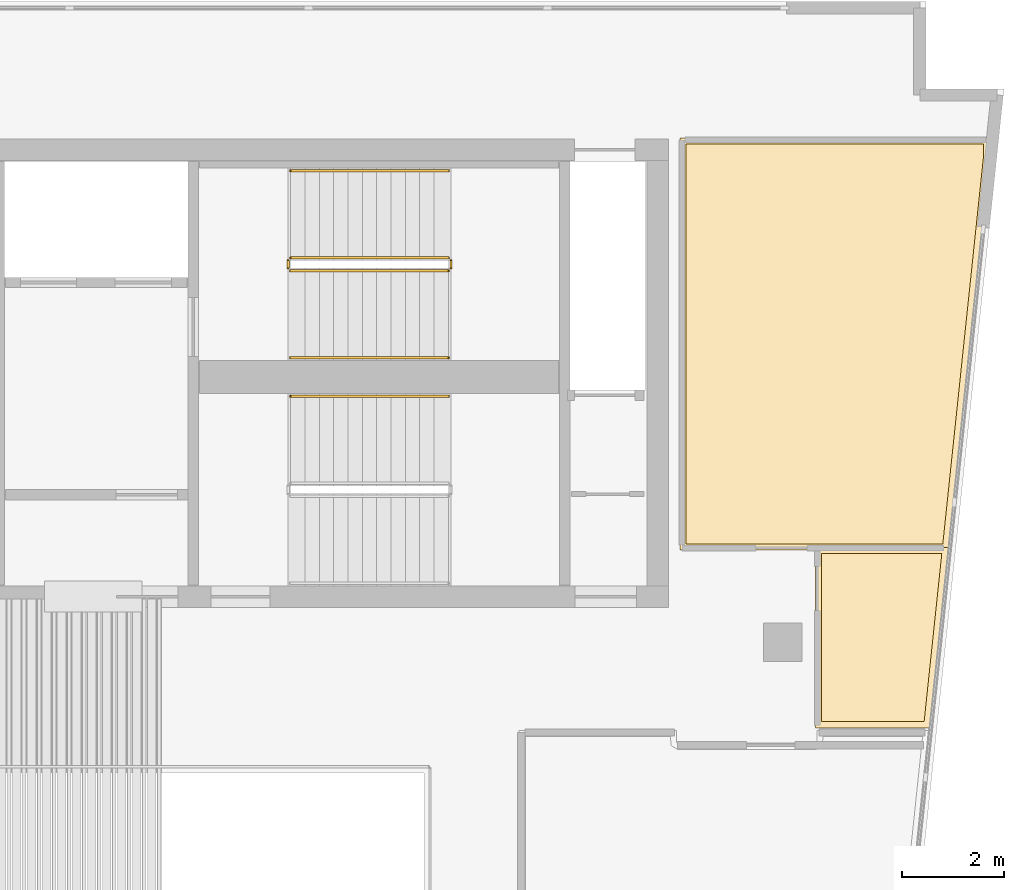
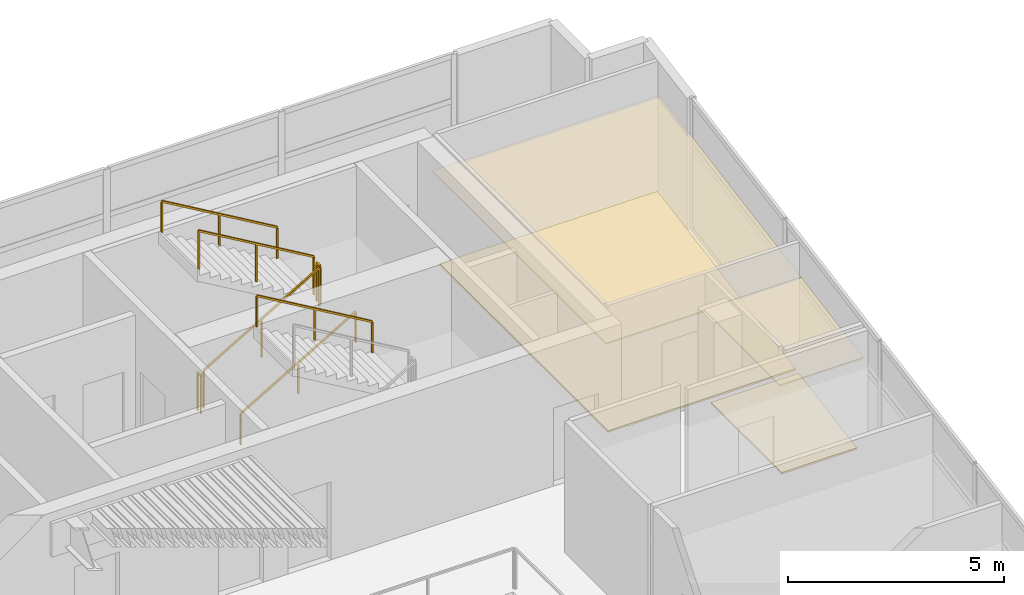
# One storey, part 6 of 6: 7 railings, 4 coverings.
"""IFC4 building model written with IfcOpenShell, lengths in metres."""

from ifc_helpers import new_model, si_unit, direction, frame, origin, origin_2d, place, context, subcontext, project, spatial, polyline, rectangle, outline, extrude, material, layer, layer_set, type_object, element, save


model = new_model("IFC4")

# Units and contexts
model_context = context("Model", 3, precision=1e-05, world=origin(), true_north=direction((0.0, 1.0)))
body_context = subcontext(model_context, "Body", "Model", "MODEL_VIEW")
ifc_project = project(units=[si_unit("LENGTHUNIT", "METRE"), si_unit("AREAUNIT", "SQUARE_METRE"), si_unit("VOLUMEUNIT", "CUBIC_METRE"), si_unit("PLANEANGLEUNIT", "RADIAN"), si_unit("MASSUNIT", "GRAM", prefix="KILO")], contexts=[model_context])

# Site, building, storey
site_placement = place(None, origin())
site = spatial("IfcSite", under=ifc_project, at=site_placement, CompositionType="ELEMENT")
building_placement = place(site_placement, origin())
building = spatial("IfcBuilding", under=site, at=building_placement, Name="Caeloran Harvest Quay", CompositionType="ELEMENT")
storey_placement = place(building_placement, frame((0.0, 0.0, 296.199951171875)))
storey = spatial("IfcBuildingStorey", under=building, at=storey_placement, Name="L71", CompositionType="ELEMENT", Elevation=296.199951171875)

# Coverings
ifc_material_1 = material(Name="Perforated Mineral-Fibre Acoustic Ceiling Tile", Category="ceiling")
ifc_layer_1 = layer(ifc_material_1, 0.0400390625, Name="Perforated Mineral-Fibre Acoustic Ceiling Tile")
ifc_layer_set_1 = layer_set([ifc_layer_1], Name="Perforated Mineral-Fibre Acoustic Ceiling Tile")
covering_type_1 = type_object("IfcCoveringType", Name="COV-CEILING-ACOUSTIC", PredefinedType="CEILING", material=ifc_layer_set_1)
covering_1_placement = place(storey_placement, frame((0.0, 0.0, 2.60009765625)))
element("IfcCovering", 1, at=covering_1_placement, inside=storey, type_object=covering_type_1, Name="L71 Bioinformatics and Crop Phenotyping Laboratory Acoustic Ceiling", PredefinedType="CEILING", context=body_context, shape_type="SweptSolid", body=[
    extrude(outline(polyline([(29.54150390625, 40.475341796875), (28.7353515625, 32.800048828125), (23.5, 32.800048828125), (23.5, 40.840087890625), (29.54150390625, 40.840087890625), (29.54150390625, 40.475341796875)])), origin(), (0.0, 0.0, 1.0), 0.0400390625),
])
covering_2_placement = place(storey_placement, frame((0.0, 0.0, 2.60009765625)))
element("IfcCovering", 2, at=covering_2_placement, inside=storey, type_object=covering_type_1, Name="Advisory Council Boardroom Acoustic Ceiling", PredefinedType="CEILING", context=body_context, shape_type="SweptSolid", body=[
    extrude(outline(polyline([(26.139892578125, 32.798095703125), (26.12158203125, 32.85009765625), (28.740478515625, 32.85009765625), (28.370849609375, 29.330078125), (26.139892578125, 29.330078125), (26.139892578125, 32.798095703125)])), origin(), (0.0, 0.0, 1.0), 0.0400390625),
])
ifc_material_2 = material(Name="Calcium-Sulphate Raised Access Floor and Terrazzo Finish", Category="flooring")
ifc_layer_2 = layer(ifc_material_2, 0.050048828125, Name="Calcium-Sulphate Raised Access Floor and Terrazzo Finish")
ifc_layer_set_2 = layer_set([ifc_layer_2], Name="Calcium-Sulphate Raised Access Floor and Terrazzo Finish")
covering_type_2 = type_object("IfcCoveringType", Name="COV-FLOOR-RAISED", PredefinedType="FLOORING", material=ifc_layer_set_2)
covering_3_placement = place(storey_placement, origin())
element("IfcCovering", 3, at=covering_3_placement, inside=storey, type_object=covering_type_2, Name="L71 Bioinformatics and Crop Phenotyping Laboratory Raised Finish Flooring", PredefinedType="FLOORING", context=body_context, shape_type="SweptSolid", body=[
    extrude(outline(polyline([(29.42138671875, 40.481689453125), (28.627197265625, 32.919921875), (23.6201171875, 32.919921875), (23.6201171875, 40.719970703125), (29.42138671875, 40.719970703125), (29.42138671875, 40.481689453125)])), origin(), (0.0, 0.0, 1.0), 0.050048828125),
])
covering_4_placement = place(storey_placement, origin())
element("IfcCovering", 4, at=covering_4_placement, inside=storey, type_object=covering_type_2, Name="Advisory Council Boardroom Raised Finish Flooring", PredefinedType="FLOORING", context=body_context, shape_type="SweptSolid", body=[
    extrude(outline(polyline([(26.260009765625, 32.72998046875), (28.607421875, 32.72998046875), (28.2626953125, 29.449951171875), (26.260009765625, 29.449951171875), (26.260009765625, 32.72998046875)])), origin(), (0.0, 0.0, 1.0), 0.050048828125),
])

# Railings
ifc_material_3 = material(Name="Painted Steel Baluster and Top-Rail Stair Guard", Category="steel")
ifc_layer_3 = layer(ifc_material_3, 0.050048828125, Name="Painted Steel Baluster and Top-Rail Stair Guard")
ifc_layer_set_3 = layer_set([ifc_layer_3], Name="Painted Steel Baluster and Top-Rail Stair Guard")
railing_type_1 = type_object("IfcRailingType", Name="STAIR-GUARD-1100", PredefinedType="GUARDRAIL", material=ifc_layer_set_3)
railing_1_placement = place(storey_placement, frame((15.89990234375, 38.25, 0.16455078125)))
element("IfcRailing", 5, at=railing_1_placement, inside=storey, type_object=railing_type_1, Name="L71 ST-C1 stair guard 1", PredefinedType="GUARDRAIL", context=body_context, shape_type="SweptSolid", body=[
    extrude(rectangle(XDim=0.048095703125, YDim=0.048095703125, at=origin_2d()), frame((0.0, 0.0, 1.076171875), z_axis=(0.862088758681, 0.0, 0.506757310905), x_axis=(0.0, 1.0, 0.0)), (0.0, 0.0, 1.0), 3.57275390625),
    extrude(rectangle(XDim=0.0419921875, YDim=0.0419921875, at=origin_2d()), origin(), (0.0, 0.0, 1.0), 1.052001953125),
    extrude(rectangle(XDim=0.0419921875, YDim=0.0419921875, at=origin_2d()), frame((1.5400390625, 0.0, 0.9052734375)), (0.0, 0.0, 1.0), 1.052001953125),
    extrude(rectangle(XDim=0.0419921875, YDim=0.0419921875, at=origin_2d()), frame((3.080078125, 0.0, 1.810546875)), (0.0, 0.0, 1.0), 1.052001953125),
])
railing_2_placement = place(storey_placement, frame((19.030029296875, 38.300048828125, 1.97509765625)))
element("IfcRailing", 6, at=railing_2_placement, inside=storey, type_object=railing_type_1, Name="L71 ST-C1 stair guard 2", PredefinedType="GUARDRAIL", context=body_context, shape_type="SweptSolid", body=[
    extrude(rectangle(XDim=0.048095703125, YDim=0.048095703125, at=origin_2d()), frame((0.0, 0.0, 1.076171875), z_axis=(0.0, 1.0, 0.0), x_axis=(-1.0, 0.0, 0.0)), (0.0, 0.0, 1.0), 0.14990234375),
    extrude(rectangle(XDim=0.0419921875, YDim=0.0419921875, at=origin_2d()), origin(), (0.0, 0.0, 1.0), 1.052001953125),
    extrude(rectangle(XDim=0.0419921875, YDim=0.0419921875, at=origin_2d()), frame((0.0, 0.14990234375, 0.0)), (0.0, 0.0, 1.0), 1.052001953125),
])
railing_3_placement = place(storey_placement, frame((18.97998046875, 38.5, 2.1396484375)))
element("IfcRailing", 7, at=railing_3_placement, inside=storey, type_object=railing_type_1, Name="L71 ST-C1 stair guard 3", PredefinedType="GUARDRAIL", context=body_context, shape_type="SweptSolid", body=[
    extrude(rectangle(XDim=0.048095703125, YDim=0.048095703125, at=origin_2d()), frame((0.0, 0.0, 1.076171875), z_axis=(-0.862118610829, 0.0, 0.506706523406), x_axis=(0.0, -1.0, 0.0)), (0.0, 0.0, 1.0), 3.57275390625),
    extrude(rectangle(XDim=0.0419921875, YDim=0.0419921875, at=origin_2d()), origin(), (0.0, 0.0, 1.0), 1.052001953125),
    extrude(rectangle(XDim=0.0419921875, YDim=0.0419921875, at=origin_2d()), frame((-1.5400390625, 0.0, 0.9052734375)), (0.0, 0.0, 1.0), 1.052001953125),
    extrude(rectangle(XDim=0.0419921875, YDim=0.0419921875, at=origin_2d()), frame((-3.080078125, 0.0, 1.810302734375)), (0.0, 0.0, 1.0), 1.052001953125),
])
railing_4_placement = place(storey_placement, frame((15.85009765625, 38.300048828125, 0.0)))
element("IfcRailing", 8, at=railing_4_placement, inside=storey, type_object=railing_type_1, Name="L71 ST-C1 stair guard 4", PredefinedType="GUARDRAIL", context=body_context, shape_type="SweptSolid", body=[
    extrude(rectangle(XDim=0.048095703125, YDim=0.048095703125, at=origin_2d()), frame((0.0, 0.0, 1.076171875), z_axis=(0.0, 1.0, 0.0), x_axis=(-1.0, 0.0, 0.0)), (0.0, 0.0, 1.0), 0.14990234375),
    extrude(rectangle(XDim=0.0419921875, YDim=0.0419921875, at=origin_2d()), origin(), (0.0, 0.0, 1.0), 1.052001953125),
    extrude(rectangle(XDim=0.0419921875, YDim=0.0419921875, at=origin_2d()), frame((0.0, 0.14990234375, 0.0)), (0.0, 0.0, 1.0), 1.052001953125),
])
ifc_material_4 = material(Name="Brushed Stainless Steel Grade 304", Category="steel")
ifc_layer_4 = layer(ifc_material_4, 0.050048828125, Name="Brushed Stainless Steel Grade 304")
ifc_layer_set_4 = layer_set([ifc_layer_4], Name="Brushed Stainless Steel Grade 304")
railing_type_2 = type_object("IfcRailingType", Name="STAIR-HANDRAIL-900", PredefinedType="HANDRAIL", material=ifc_layer_set_4)
railing_5_placement = place(storey_placement, frame((15.89990234375, 36.550048828125, 0.16455078125)))
element("IfcRailing", 9, at=railing_5_placement, inside=storey, type_object=railing_type_2, Name="L71 ST-C1 stair handrail 1", PredefinedType="HANDRAIL", context=body_context, shape_type="SweptSolid", body=[
    extrude(rectangle(XDim=0.048095703125, YDim=0.048095703125, at=origin_2d()), frame((0.0, 0.0, 0.8759765625), z_axis=(0.862088758681, 0.0, 0.506757310905), x_axis=(0.0, 1.0, 0.0)), (0.0, 0.0, 1.0), 3.57275390625),
    extrude(rectangle(XDim=0.0419921875, YDim=0.0419921875, at=origin_2d()), origin(), (0.0, 0.0, 1.0), 0.851806640625),
    extrude(rectangle(XDim=0.0419921875, YDim=0.0419921875, at=origin_2d()), frame((1.5400390625, 0.0, 0.9052734375)), (0.0, 0.0, 1.0), 0.851806640625),
    extrude(rectangle(XDim=0.0419921875, YDim=0.0419921875, at=origin_2d()), frame((3.080078125, 0.0, 1.810546875)), (0.0, 0.0, 1.0), 0.851806640625),
])
for number, where, name in (
    (10, (18.97998046875, 40.199951171875, 2.1396484375), "L71 ST-C1 stair handrail 2"),
    (11, (18.97998046875, 35.800048828125, 2.1396484375), "L71 ST-C2 stair handrail 2"),
):
    element("IfcRailing", number, at=place(storey_placement, frame(where)), inside=storey, type_object=railing_type_2, Name=name, PredefinedType="HANDRAIL", context=body_context, shape_type="SweptSolid", body=[
        extrude(rectangle(XDim=0.048095703125, YDim=0.048095703125, at=origin_2d()), frame((0.0, 0.0, 0.8759765625), z_axis=(-0.862118610829, 0.0, 0.506706523406), x_axis=(0.0, -1.0, 0.0)), (0.0, 0.0, 1.0), 3.57275390625),
        extrude(rectangle(XDim=0.0419921875, YDim=0.0419921875, at=origin_2d()), origin(), (0.0, 0.0, 1.0), 0.851806640625),
        extrude(rectangle(XDim=0.0419921875, YDim=0.0419921875, at=origin_2d()), frame((-1.5400390625, 0.0, 0.9052734375)), (0.0, 0.0, 1.0), 0.851806640625),
        extrude(rectangle(XDim=0.0419921875, YDim=0.0419921875, at=origin_2d()), frame((-3.080078125, 0.0, 1.810302734375)), (0.0, 0.0, 1.0), 0.851806640625),
    ])

save(model, "model.ifc")
